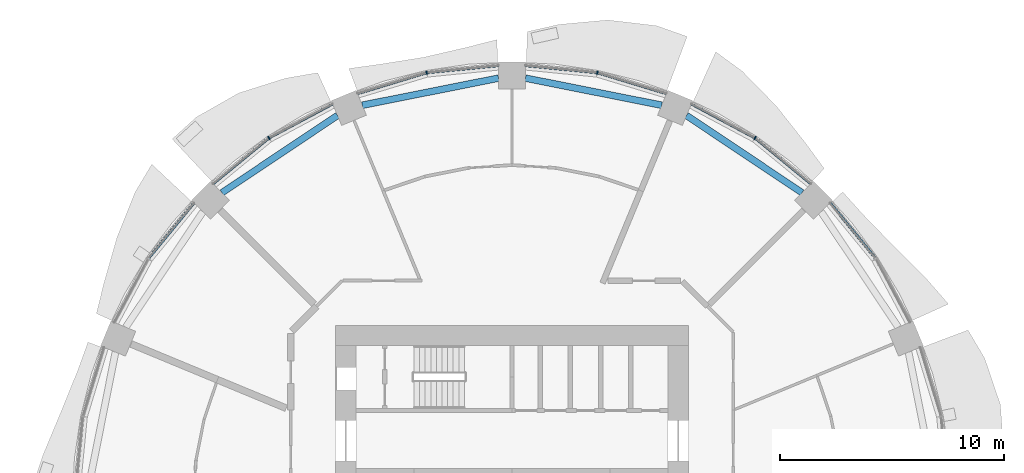
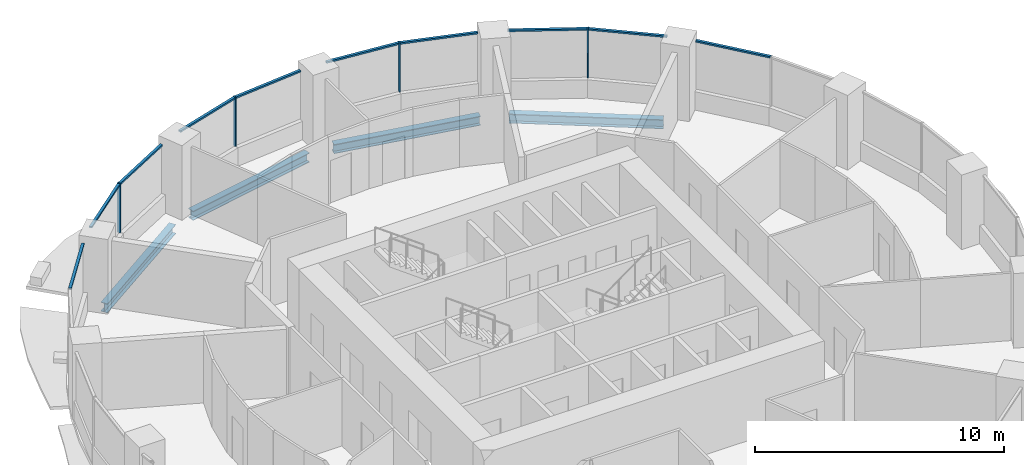
# One storey, part 6 of 15: 14 members, 4 beams, 6 elements without a shape of their own.
"""IFC4 building model written with IfcOpenShell, lengths in metres."""

from ifc_helpers import new_model, si_unit, direction, frame, origin, origin_2d, place, context, subcontext, project, spatial, rectangle, i_section, extrude, material, material_profile, profile_set, type_object, element, aggregate, save


model = new_model("IFC4")

# Units and contexts
model_context = context("Model", 3, precision=1e-05, world=origin(), true_north=direction((0.0, 1.0)))
body_context = subcontext(model_context, "Body", "Model", "MODEL_VIEW")
ifc_project = project(units=[si_unit("LENGTHUNIT", "METRE"), si_unit("AREAUNIT", "SQUARE_METRE"), si_unit("VOLUMEUNIT", "CUBIC_METRE"), si_unit("PLANEANGLEUNIT", "RADIAN"), si_unit("MASSUNIT", "GRAM", prefix="KILO")], contexts=[model_context])

# Site, building, storey
site_placement = place(None, origin())
site = spatial("IfcSite", under=ifc_project, at=site_placement, CompositionType="ELEMENT")
building_placement = place(site_placement, origin())
building = spatial("IfcBuilding", under=site, at=building_placement, Name="Polderwave Tower", CompositionType="ELEMENT")
storey_placement = place(building_placement, frame((0.0, 0.0, 51.75)))
storey = spatial("IfcBuildingStorey", under=building, at=storey_placement, Name="L13", CompositionType="ELEMENT", Elevation=51.75)

# Curtain wall, member
ifc_material_1 = material(Name="Aluminium 6063-T6 and glass", Category="aluminium")
curtain_wall_type = type_object("IfcCurtainWallType", Name="Growing floor ribbon glazing wall", PredefinedType="NOTDEFINED", material=ifc_material_1)
curtain_wall_1_placement = place(storey_placement, origin())
curtain_wall_1 = element("IfcCurtainWall", 1, at=curtain_wall_1_placement, inside=storey, type_object=curtain_wall_type, Name="CW2 L13 02", PredefinedType="NOTDEFINED")
ifc_material_2 = material(Name="Aluminium 6063-T6", Category="aluminium")
ifc_material_profile_1 = material_profile(ifc_material_2, rectangle(XDim=0.14990234375, YDim=0.06005859375, at=origin_2d()), Name="AL 60x150")
ifc_profile_set_1 = profile_set([ifc_material_profile_1], Name="Aluminium 6063-T6")
member_type_1 = type_object("IfcMemberType", Name="Growing floor ribbon glazing mullion 60x150", PredefinedType="MULLION", material=ifc_profile_set_1)
member_1_placement = place(storey_placement, frame((10.85009765625, 16.239013671875, 0.89990234375), z_axis=(0.0, 0.0, 1.0), x_axis=(-0.555576037759, -0.83146573367, 0.0)))
member_1 = element("IfcMember", 2, at=member_1_placement, type_object=member_type_1, Name="CW2 mullion 1", PredefinedType="MULLION", context=body_context, shape_type="SweptSolid", body=[
    extrude(rectangle(XDim=0.14990234375, YDim=0.06005859375, at=origin_2d()), origin(), (0.0, 0.0, 1.0), 2.400146484375),
])

curtain_wall_2_placement = place(storey_placement, origin())
curtain_wall_2 = element("IfcCurtainWall", 3, at=curtain_wall_2_placement, inside=storey, type_object=curtain_wall_type, Name="CW2 L13 03", PredefinedType="NOTDEFINED")
member_2_placement = place(storey_placement, frame((3.81005859375, 19.155029296875, 0.89990234375), z_axis=(0.0, 0.0, 1.0), x_axis=(-0.195148522643, -0.980773701784, 0.0)))
member_2 = element("IfcMember", 4, at=member_2_placement, type_object=member_type_1, Name="CW2 mullion 1", PredefinedType="MULLION", context=body_context, shape_type="SweptSolid", body=[
    extrude(rectangle(XDim=0.14990234375, YDim=0.06005859375, at=origin_2d()), origin(), (0.0, 0.0, 1.0), 2.400146484375),
])

curtain_wall_3_placement = place(storey_placement, origin())
curtain_wall_3 = element("IfcCurtainWall", 5, at=curtain_wall_3_placement, inside=storey, type_object=curtain_wall_type, Name="CW2 L13 04", PredefinedType="NOTDEFINED")
member_3_placement = place(storey_placement, frame((-3.81005859375, 19.155029296875, 0.89990234375), z_axis=(0.0, 0.0, 1.0), x_axis=(0.195148522643, -0.980773701784, 0.0)))
member_3 = element("IfcMember", 6, at=member_3_placement, type_object=member_type_1, Name="CW2 mullion 1", PredefinedType="MULLION", context=body_context, shape_type="SweptSolid", body=[
    extrude(rectangle(XDim=0.14990234375, YDim=0.06005859375, at=origin_2d()), origin(), (0.0, 0.0, 1.0), 2.400146484375),
])

curtain_wall_4_placement = place(storey_placement, origin())
curtain_wall_4 = element("IfcCurtainWall", 7, at=curtain_wall_4_placement, inside=storey, type_object=curtain_wall_type, Name="CW2 L13 05", PredefinedType="NOTDEFINED")
member_4_placement = place(storey_placement, frame((-10.85009765625, 16.239013671875, 0.89990234375), z_axis=(0.0, 0.0, 1.0), x_axis=(0.555576037759, -0.83146573367, 0.0)))
member_4 = element("IfcMember", 8, at=member_4_placement, type_object=member_type_1, Name="CW2 mullion 1", PredefinedType="MULLION", context=body_context, shape_type="SweptSolid", body=[
    extrude(rectangle(XDim=0.14990234375, YDim=0.06005859375, at=origin_2d()), origin(), (0.0, 0.0, 1.0), 2.400146484375),
])

curtain_wall_5_placement = place(storey_placement, origin())
curtain_wall_5 = element("IfcCurtainWall", 9, at=curtain_wall_5_placement, inside=storey, type_object=curtain_wall_type, Name="CW2 L13 01", PredefinedType="NOTDEFINED")
ifc_material_profile_2 = material_profile(ifc_material_2, rectangle(XDim=0.1201171875, YDim=0.080078125, at=origin_2d()), Name="AL 80x120")
ifc_profile_set_2 = profile_set([ifc_material_profile_2], Name="Aluminium 6063-T6")
member_type_2 = type_object("IfcMemberType", Name="Growing floor ribbon glazing transom 80x120", PredefinedType="USERDEFINED", material=ifc_profile_set_2)
member_5_placement = place(storey_placement, frame((16.219970703125, 10.873291015625, 3.260009765625), z_axis=(-0.63447226594, 0.772945627941, 0.0), x_axis=(-0.772945627941, -0.63447226594, 0.0)))
member_5 = element("IfcMember", 10, at=member_5_placement, type_object=member_type_2, Name="CW2 transom 2", ObjectType="TRANSOM", PredefinedType="USERDEFINED", context=body_context, shape_type="SweptSolid", body=[
    extrude(rectangle(XDim=0.1201171875, YDim=0.080078125, at=origin_2d()), origin(), (0.0, 0.0, 1.0), 3.196533203125),
])
aggregate(curtain_wall_5, [member_5])

# Member
member_6_placement = place(storey_placement, frame((13.343994140625, 14.19189453125, 3.260009765625), z_axis=(-0.772945627941, 0.63447226594, 0.0), x_axis=(-0.63447226594, -0.772945627941, 0.0)))
member_6 = element("IfcMember", 11, at=member_6_placement, type_object=member_type_2, Name="CW2 transom 1", ObjectType="TRANSOM", PredefinedType="USERDEFINED", context=body_context, shape_type="SweptSolid", body=[
    extrude(rectangle(XDim=0.1201171875, YDim=0.080078125, at=origin_2d()), origin(), (0.0, 0.0, 1.0), 3.196533203125),
])

member_7_placement = place(storey_placement, frame((10.823486328125, 16.253173828125, 3.260009765625), z_axis=(-0.881929477556, 0.471381370673, 0.0), x_axis=(-0.471381370673, -0.881929477556, 0.0)))
member_7 = element("IfcMember", 12, at=member_7_placement, type_object=member_type_2, Name="CW2 transom 2", ObjectType="TRANSOM", PredefinedType="USERDEFINED", context=body_context, shape_type="SweptSolid", body=[
    extrude(rectangle(XDim=0.1201171875, YDim=0.080078125, at=origin_2d()), origin(), (0.0, 0.0, 1.0), 3.194580078125),
])

aggregate(curtain_wall_1, [member_1, member_6, member_7])

member_8_placement = place(storey_placement, frame((6.89697265625, 18.218017578125, 3.260009765625), z_axis=(-0.95689839473, 0.290422902272, 0.0), x_axis=(-0.290422902272, -0.95689839473, 0.0)))
member_8 = element("IfcMember", 13, at=member_8_placement, type_object=member_type_2, Name="CW2 transom 1", ObjectType="TRANSOM", PredefinedType="USERDEFINED", context=body_context, shape_type="SweptSolid", body=[
    extrude(rectangle(XDim=0.1201171875, YDim=0.080078125, at=origin_2d()), origin(), (0.0, 0.0, 1.0), 3.196044921875),
])

member_9_placement = place(storey_placement, frame((3.780029296875, 19.157958984375, 3.260009765625), z_axis=(-0.99519106363, 0.097952778777, 0.0), x_axis=(-0.097952778777, -0.99519106363, 0.0)))
member_9 = element("IfcMember", 14, at=member_9_placement, type_object=member_type_2, Name="CW2 transom 2", ObjectType="TRANSOM", PredefinedType="USERDEFINED", context=body_context, shape_type="SweptSolid", body=[
    extrude(rectangle(XDim=0.1201171875, YDim=0.080078125, at=origin_2d()), origin(), (0.0, 0.0, 1.0), 3.1953125),
])

aggregate(curtain_wall_2, [member_2, member_8, member_9])

member_10_placement = place(storey_placement, frame((-0.60009765625, 19.470947265625, 3.260009765625), z_axis=(-0.99519106363, -0.097952778777, 0.0), x_axis=(0.097952778777, -0.99519106363, 0.0)))
member_10 = element("IfcMember", 15, at=member_10_placement, type_object=member_type_2, Name="CW2 transom 1", ObjectType="TRANSOM", PredefinedType="USERDEFINED", context=body_context, shape_type="SweptSolid", body=[
    extrude(rectangle(XDim=0.1201171875, YDim=0.080078125, at=origin_2d()), origin(), (0.0, 0.0, 1.0), 3.1953125),
])

member_11_placement = place(storey_placement, frame((-3.838623046875, 19.146240234375, 3.260009765625), z_axis=(-0.95689839473, -0.290422902272, 0.0), x_axis=(0.290422902272, -0.95689839473, 0.0)))
member_11 = element("IfcMember", 16, at=member_11_placement, type_object=member_type_2, Name="CW2 transom 2", ObjectType="TRANSOM", PredefinedType="USERDEFINED", context=body_context, shape_type="SweptSolid", body=[
    extrude(rectangle(XDim=0.1201171875, YDim=0.080078125, at=origin_2d()), origin(), (0.0, 0.0, 1.0), 3.196044921875),
])

aggregate(curtain_wall_3, [member_3, member_10, member_11])

member_12_placement = place(storey_placement, frame((-8.006103515625, 17.759033203125, 3.260009765625), z_axis=(-0.881929477556, -0.471381370673, 0.0), x_axis=(0.471381370673, -0.881929477556, 0.0)))
member_12 = element("IfcMember", 17, at=member_12_placement, type_object=member_type_2, Name="CW2 transom 1", ObjectType="TRANSOM", PredefinedType="USERDEFINED", context=body_context, shape_type="SweptSolid", body=[
    extrude(rectangle(XDim=0.1201171875, YDim=0.080078125, at=origin_2d()), origin(), (0.0, 0.0, 1.0), 3.194580078125),
])

member_13_placement = place(storey_placement, frame((-10.873291015625, 16.219970703125, 3.260009765625), z_axis=(-0.772945627941, -0.63447226594, 0.0), x_axis=(0.63447226594, -0.772945627941, 0.0)))
member_13 = element("IfcMember", 18, at=member_13_placement, type_object=member_type_2, Name="CW2 transom 2", ObjectType="TRANSOM", PredefinedType="USERDEFINED", context=body_context, shape_type="SweptSolid", body=[
    extrude(rectangle(XDim=0.1201171875, YDim=0.080078125, at=origin_2d()), origin(), (0.0, 0.0, 1.0), 3.196533203125),
])

aggregate(curtain_wall_4, [member_4, member_12, member_13])

# Curtain wall, member
curtain_wall_6_placement = place(storey_placement, origin())
curtain_wall_6 = element("IfcCurtainWall", 19, at=curtain_wall_6_placement, inside=storey, type_object=curtain_wall_type, Name="CW2 L13 06", PredefinedType="NOTDEFINED")
member_14_placement = place(storey_placement, frame((-14.19189453125, 13.343994140625, 3.260009765625), z_axis=(-0.63447226594, -0.772945627941, 0.0), x_axis=(0.772945627941, -0.63447226594, 0.0)))
member_14 = element("IfcMember", 20, at=member_14_placement, type_object=member_type_2, Name="CW2 transom 1", ObjectType="TRANSOM", PredefinedType="USERDEFINED", context=body_context, shape_type="SweptSolid", body=[
    extrude(rectangle(XDim=0.1201171875, YDim=0.080078125, at=origin_2d()), origin(), (0.0, 0.0, 1.0), 3.196533203125),
])
aggregate(curtain_wall_6, [member_14])

# Beams
ifc_material_3 = material(Name="Steel S355", Category="steel")
ifc_material_profile_3 = material_profile(ifc_material_3, i_section(OverallWidth=0.300048828125, OverallDepth=0.449951171875, WebThickness=0.013916015625, FlangeThickness=0.02587890625, at=origin_2d()), Name="HE 450 B")
ifc_profile_set_3 = profile_set([ifc_material_profile_3], Name="Steel S355")
beam_type = type_object("IfcBeamType", Name="RING BEAM HE 450 B", PredefinedType="BEAM", material=ifc_profile_set_3)
beam_1_placement = place(storey_placement, frame((12.947509765625, 13.796142578125, -0.574951171875), z_axis=(-0.831480541779, 0.555553875554, 0.0), x_axis=(-0.555553875554, -0.831480541779, 0.0)))
element("IfcBeam", 21, at=beam_1_placement, inside=storey, type_object=beam_type, Name="ST-RB-L13-02", PredefinedType="BEAM", context=body_context, shape_type="SweptSolid", body=[
    extrude(i_section(OverallWidth=0.300048828125, OverallDepth=0.449951171875, WebThickness=0.013916015625, FlangeThickness=0.02587890625, at=origin_2d()), origin(), (0.0, 0.0, 1.0), 6.20166015625),
])
for number, where, z_axis, x_axis, name in (
    (22, (6.682373046875, 17.70068359375, -0.574951171875), (-0.980781542517, 0.195109112701, 0.0), (-0.195109112701, -0.980781542517, 0.0), "ST-RB-L13-03"),
    (23, (-0.60009765625, 18.91064453125, -0.574951171875), (-0.980781542517, -0.195109112701, 0.0), (0.195109112701, -0.980781542517, 0.0), "ST-RB-L13-04"),
):
    element("IfcBeam", number, at=place(storey_placement, frame(where, z_axis=z_axis, x_axis=x_axis)), inside=storey, type_object=beam_type, Name=name, PredefinedType="BEAM", context=body_context, shape_type="SweptSolid", body=[
        extrude(i_section(OverallWidth=0.300048828125, OverallDepth=0.449951171875, WebThickness=0.013916015625, FlangeThickness=0.02587890625, at=origin_2d()), origin(), (0.0, 0.0, 1.0), 6.201416015625),
    ])
beam_2_placement = place(storey_placement, frame((-7.791015625, 17.241455078125, -0.574951171875), z_axis=(-0.831480541779, -0.555553875554, 0.0), x_axis=(0.555553875554, -0.831480541779, 0.0)))
element("IfcBeam", 24, at=beam_2_placement, inside=storey, type_object=beam_type, Name="ST-RB-L13-05", PredefinedType="BEAM", context=body_context, shape_type="SweptSolid", body=[
    extrude(i_section(OverallWidth=0.300048828125, OverallDepth=0.449951171875, WebThickness=0.013916015625, FlangeThickness=0.02587890625, at=origin_2d()), origin(), (0.0, 0.0, 1.0), 6.20166015625),
])

save(model, "model.ifc")
